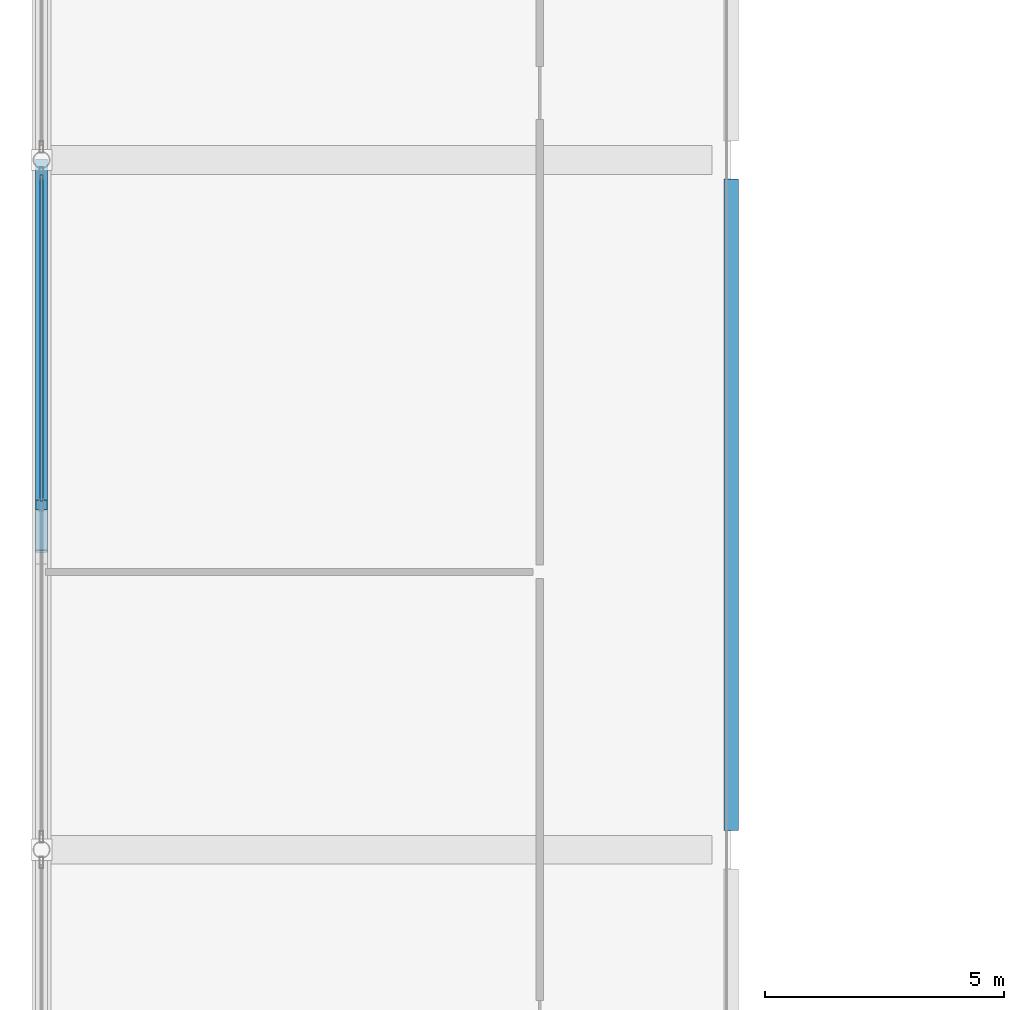
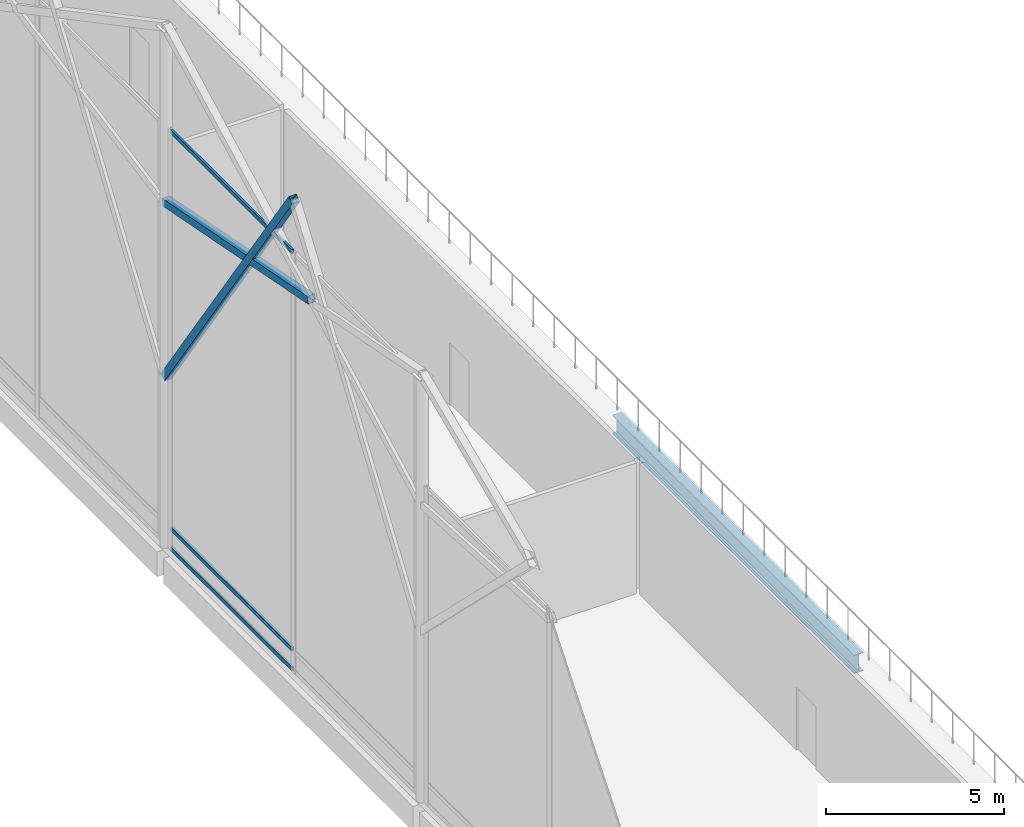
# One storey, part 55 of 220: 5 members, 1 beam, 1 element without a shape of its own.
"""IFC4 building model written with IfcOpenShell, lengths in metres."""

from ifc_helpers import new_model, si_unit, direction, frame, origin, origin_2d, place, context, subcontext, project, spatial, hollow_rectangle, i_section, extrude, material, material_profile, profile_set, type_object, element, aggregate, save


model = new_model("IFC4")

# Units and contexts
model_context = context("Model", 3, precision=1e-05, world=origin(), true_north=direction((0.0, 1.0)))
body_context = subcontext(model_context, "Body", "Model", "MODEL_VIEW")
ifc_project = project(units=[si_unit("LENGTHUNIT", "METRE"), si_unit("AREAUNIT", "SQUARE_METRE"), si_unit("VOLUMEUNIT", "CUBIC_METRE"), si_unit("PLANEANGLEUNIT", "RADIAN"), si_unit("MASSUNIT", "GRAM", prefix="KILO")], contexts=[model_context])

# Site, building, storey
site_placement = place(None, origin())
site = spatial("IfcSite", under=ifc_project, at=site_placement, CompositionType="ELEMENT")
building_placement = place(site_placement, origin())
building = spatial("IfcBuilding", under=site, at=building_placement, Name="Cendralis Lancet Convention Centre", CompositionType="ELEMENT")
storey_placement = place(building_placement, frame((0.0, 0.0, 5.39990234375)))
storey = spatial("IfcBuildingStorey", under=building, at=storey_placement, Name="L01", CompositionType="ELEMENT", Elevation=5.39990234375)

# Curtain wall, members
ifc_material_1 = material(Name="Anodised bronze architectural aluminium", Category="aluminium")
curtain_wall_type = type_object("IfcCurtainWallType", Name="ARC-CW-GB02", PredefinedType="USERDEFINED", material=ifc_material_1)
curtain_wall_placement = place(storey_placement, origin())
curtain_wall = element("IfcCurtainWall", 1, at=curtain_wall_placement, inside=storey, type_object=curtain_wall_type, Name="L01 Curtain Wall CW-GB2 #101", ObjectType="CURTAIN WALL", PredefinedType="USERDEFINED")
ifc_material_profile_1 = material_profile(ifc_material_1, hollow_rectangle(XDim=0.070068359375, YDim=0.139892578125, WallThickness=0.00390625, at=origin_2d()), Name="AL-TRAN 70x140x4.0")
ifc_profile_set_1 = profile_set([ifc_material_profile_1], Name="Anodised bronze architectural aluminium")
member_type_1 = type_object("IfcMemberType", Name="ARC-CW-TR02", PredefinedType="USERDEFINED", material=ifc_profile_set_1)
member_1_placement = place(storey_placement, frame((0.0, 86.47998046875, 0.070068359375), z_axis=(0.0, 1.0, 0.0), x_axis=(-1.0, 0.0, 0.0)))
member_1 = element("IfcMember", 2, at=member_1_placement, type_object=member_type_1, Name="Transom CW2-CW-GB2-L01-101-T1BOT", ObjectType="TRANSOM", PredefinedType="USERDEFINED", context=body_context, shape_type="SweptSolid", body=[
    extrude(hollow_rectangle(XDim=0.070068359375, YDim=0.139892578125, WallThickness=0.00390625, at=origin_2d()), origin(), (0.0, 0.0, 1.0), 6.812255859375),
])
member_2_placement = place(storey_placement, frame((0.0, 86.47998046875, 0.75), z_axis=(0.0, 1.0, 0.0), x_axis=(-1.0, 0.0, 0.0)))
member_2 = element("IfcMember", 3, at=member_2_placement, type_object=member_type_1, Name="Transom CW2-CW-GB2-L01-101-T1MID", ObjectType="TRANSOM", PredefinedType="USERDEFINED", context=body_context, shape_type="SweptSolid", body=[
    extrude(hollow_rectangle(XDim=0.070068359375, YDim=0.139892578125, WallThickness=0.00390625, at=origin_2d()), origin(), (0.0, 0.0, 1.0), 6.812255859375),
])
member_3_placement = place(storey_placement, frame((0.0, 86.47998046875, 14.385986328125), z_axis=(0.0, 1.0, 0.0), x_axis=(-1.0, 0.0, 0.0)))
member_3 = element("IfcMember", 4, at=member_3_placement, type_object=member_type_1, Name="Transom CW2-CW-GB2-L01-101-T1TOP", ObjectType="TRANSOM", PredefinedType="USERDEFINED", context=body_context, shape_type="SweptSolid", body=[
    extrude(hollow_rectangle(XDim=0.070068359375, YDim=0.139892578125, WallThickness=0.00390625, at=origin_2d()), origin(), (0.0, 0.0, 1.0), 6.812255859375),
])
aggregate(curtain_wall, [member_1, member_2, member_3])

# Beam
ifc_material_2 = material(Name="Steel S355", Category="steel")
ifc_material_profile_2 = material_profile(ifc_material_2, i_section(OverallWidth=0.300048828125, OverallDepth=0.639892578125, WebThickness=0.013427734375, FlangeThickness=0.02587890625, FilletRadius=0.027099609375, at=origin_2d()), Name="HEA 650")
ifc_profile_set_2 = profile_set([ifc_material_profile_2], Name="Steel S355")
beam_type = type_object("IfcBeamType", Name="STR-BM-SG09", PredefinedType="BEAM", material=ifc_profile_set_2)
beam_placement = place(storey_placement, frame((14.39990234375, 79.60009765625, -0.599853515625), z_axis=(0.0, 1.0, 0.0), x_axis=(-1.0, 0.0, 0.0)))
element("IfcBeam", 5, at=beam_placement, inside=storey, type_object=beam_type, Name="L01 Beam SG09 #1280", PredefinedType="BEAM", context=body_context, shape_type="SweptSolid", body=[
    extrude(i_section(OverallWidth=0.300048828125, OverallDepth=0.639892578125, WebThickness=0.013427734375, FlangeThickness=0.02587890625, FilletRadius=0.027099609375, at=origin_2d()), origin(), (0.0, 0.0, 1.0), 13.599853515625),
])

# Members
ifc_material_profile_3 = material_profile(ifc_material_2, hollow_rectangle(XDim=0.25, YDim=0.25, WallThickness=0.012451171875, at=origin_2d()), Name="SHS 250x250x12.5")
ifc_profile_set_3 = profile_set([ifc_material_profile_3], Name="Steel S355")
member_type_2 = type_object("IfcMemberType", Name="STR-BR-GB01", PredefinedType="BRACE", material=ifc_profile_set_3)
member_4_placement = place(storey_placement, frame((0.0, 93.60009765625, 5.800048828125), z_axis=(0.0, -0.56749371338, 0.823377729402), x_axis=(1.0, 0.0, 0.0)))
element("IfcMember", 6, at=member_4_placement, inside=storey, type_object=member_type_2, Name="Exhibition Gable Gothic Ogival Tracery Rib GBR1 #012", PredefinedType="BRACE", context=body_context, shape_type="SweptSolid", body=[
    extrude(hollow_rectangle(XDim=0.25, YDim=0.25, WallThickness=0.012451171875, at=origin_2d()), origin(), (0.0, 0.0, 1.0), 12.687744140625),
])
member_5_placement = place(storey_placement, frame((0.0, 93.60009765625, 11.81201171875), z_axis=(0.0, -0.98168616369, 0.190505317565), x_axis=(1.0, 0.0, 0.0)))
element("IfcMember", 7, at=member_5_placement, inside=storey, type_object=member_type_2, Name="Exhibition Gable Split X-Brace Rib GBR1 #014", PredefinedType="BRACE", context=body_context, shape_type="SweptSolid", body=[
    extrude(hollow_rectangle(XDim=0.25, YDim=0.25, WallThickness=0.012451171875, at=origin_2d()), origin(), (0.0, 0.0, 1.0), 8.322265625),
])

save(model, "model.ifc")
